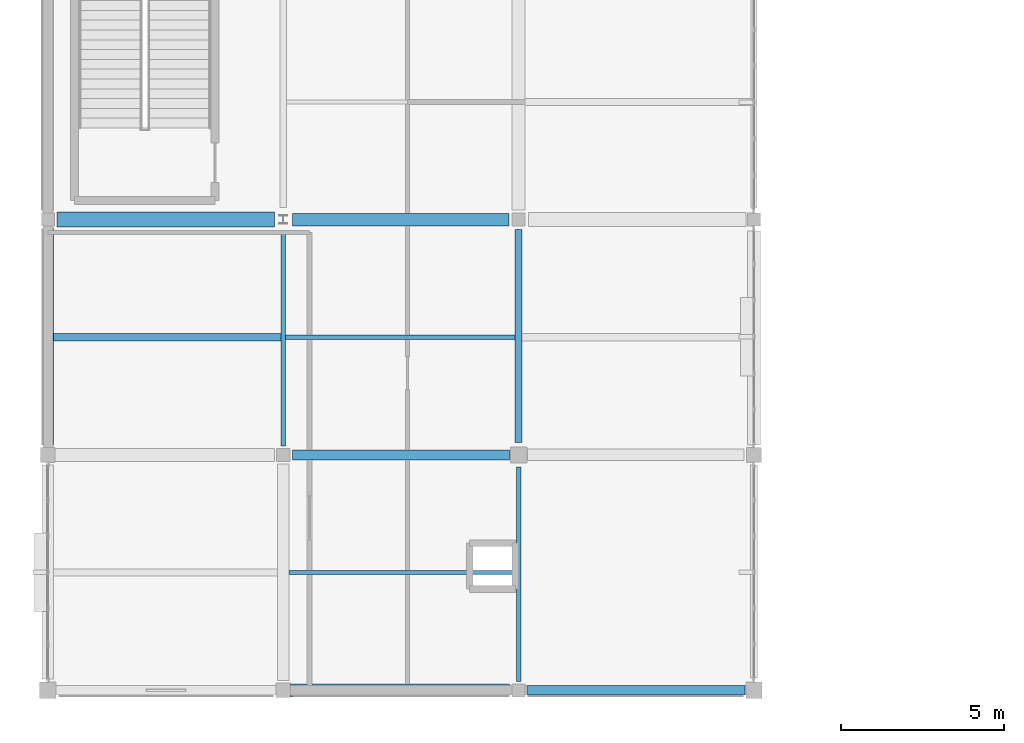
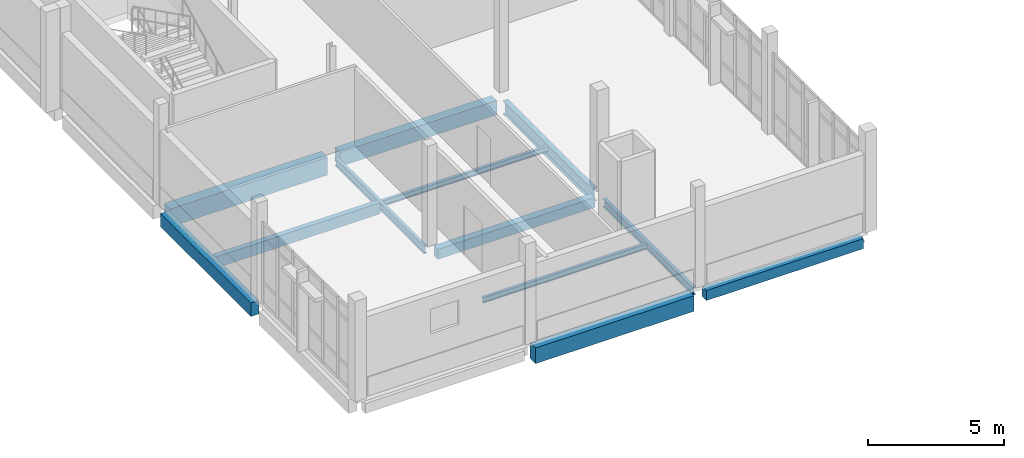
# One storey, part 7 of 62: 12 beams.
"""IFC4 building model written with IfcOpenShell, lengths in metres."""

from ifc_helpers import new_model, si_unit, direction, frame, origin, origin_2d, place, context, subcontext, project, spatial, rectangle, i_section, extrude, material, material_profile, profile_set, type_object, element, save


model = new_model("IFC4")

# Units and contexts
model_context = context("Model", 3, precision=1e-05, world=origin(), true_north=direction((0.0, 1.0)))
body_context = subcontext(model_context, "Body", "Model", "MODEL_VIEW")
ifc_project = project(units=[si_unit("LENGTHUNIT", "METRE"), si_unit("AREAUNIT", "SQUARE_METRE"), si_unit("VOLUMEUNIT", "CUBIC_METRE"), si_unit("PLANEANGLEUNIT", "RADIAN"), si_unit("MASSUNIT", "GRAM", prefix="KILO")], contexts=[model_context])

# Site, building, storey
site_placement = place(None, origin())
site = spatial("IfcSite", under=ifc_project, at=site_placement, CompositionType="ELEMENT")
building_placement = place(site_placement, origin())
building = spatial("IfcBuilding", under=site, at=building_placement, Name="Kalluvel Institute of Natural Sciences", CompositionType="ELEMENT")
storey_placement = place(building_placement, frame((0.0, 0.0, 27.89990234375)))
storey = spatial("IfcBuildingStorey", under=building, at=storey_placement, Name="L06", CompositionType="ELEMENT", Elevation=27.89990234375)

# Beams
ifc_material_1 = material(Name="Steel E350 Grade 350", Category="steel")
ifc_material_profile_1 = material_profile(ifc_material_1, i_section(OverallWidth=0.139892578125, OverallDepth=0.35009765625, WebThickness=0.008056640625, FlangeThickness=0.01416015625, FilletRadius=0.013916015625, at=origin_2d()), Name="ISMB 350")
ifc_profile_set_1 = profile_set([ifc_material_profile_1], Name="Steel E350 Grade 350")
beam_type_1 = type_object("IfcBeamType", Name="BM-ISMB350", PredefinedType="BEAM", material=ifc_profile_set_1)
for number, where, z_axis, x_axis, name in (
    (1, (21.199951171875, 35.875, -0.474853515625), (0.0, 1.0, 0.0), (-1.0, 0.0, 0.0), "L06 girder GIR-L06-NS-X212-Y356"),
    (2, (28.39990234375, 28.675048828125, -0.474853515625), (0.0, 1.0, 0.0), (-1.0, 0.0, 0.0), "L06 girder GIR-L06-NS-X284-Y284"),
):
    element("IfcBeam", number, at=place(storey_placement, frame(where, z_axis=z_axis, x_axis=x_axis)), inside=storey, type_object=beam_type_1, Name=name, PredefinedType="BEAM", context=body_context, shape_type="SweptSolid", body=[
        extrude(i_section(OverallWidth=0.139892578125, OverallDepth=0.35009765625, WebThickness=0.008056640625, FlangeThickness=0.01416015625, FilletRadius=0.013916015625, at=origin_2d()), origin(), (0.0, 0.0, 1.0), 6.550048828125),
    ])
ifc_material_profile_2 = material_profile(ifc_material_1, i_section(OverallWidth=0.2099609375, OverallDepth=0.60009765625, WebThickness=0.011962890625, FlangeThickness=0.020751953125, FilletRadius=0.02001953125, at=origin_2d()), Name="ISMB 600")
ifc_profile_set_2 = profile_set([ifc_material_profile_2], Name="Steel E350 Grade 350")
beam_type_2 = type_object("IfcBeamType", Name="BM-ISMB600", PredefinedType="BEAM", material=ifc_profile_set_2)
beam_1_placement = place(storey_placement, frame((28.39990234375, 35.97509765625, -0.599853515625), z_axis=(0.0, 1.0, 0.0), x_axis=(-1.0, 0.0, 0.0)))
element("IfcBeam", 3, at=beam_1_placement, inside=storey, type_object=beam_type_2, Name="L06 girder GIR-L06-NS-X284-Y356", PredefinedType="BEAM", context=body_context, shape_type="SweptSolid", body=[
    extrude(i_section(OverallWidth=0.2099609375, OverallDepth=0.60009765625, WebThickness=0.011962890625, FlangeThickness=0.020751953125, FilletRadius=0.02001953125, at=origin_2d()), origin(), (0.0, 0.0, 1.0), 6.52490234375),
])
ifc_material_2 = material(Name="Concrete M40", Category="concrete")
ifc_material_profile_3 = material_profile(ifc_material_2, rectangle(XDim=0.3798828125, YDim=0.639892578125, at=origin_2d()), Name="RCB 380x640")
ifc_profile_set_3 = profile_set([ifc_material_profile_3], Name="Concrete M40")
beam_type_3 = type_object("IfcBeamType", Name="BM-RC380x640", PredefinedType="BEAM", material=ifc_profile_set_3)
beam_2_placement = place(storey_placement, frame((21.47509765625, 42.800048828125, -0.619873046875), z_axis=(1.0, 0.0, 0.0), x_axis=(0.0, 1.0, 0.0)))
element("IfcBeam", 4, at=beam_2_placement, inside=storey, type_object=beam_type_3, Name="L06 girder GIR-L06-EW-X212-Y428", PredefinedType="BEAM", context=body_context, shape_type="SweptSolid", body=[
    extrude(rectangle(XDim=0.3798828125, YDim=0.639892578125, at=origin_2d()), origin(), (0.0, 0.0, 1.0), 6.625),
])
ifc_material_profile_4 = material_profile(ifc_material_2, rectangle(XDim=0.449951171875, YDim=0.800048828125, at=origin_2d()), Name="RCB 450x800")
ifc_profile_set_4 = profile_set([ifc_material_profile_4], Name="Concrete M40")
beam_type_4 = type_object("IfcBeamType", Name="BM-RC450x800", PredefinedType="BEAM", material=ifc_profile_set_4)
beam_3_placement = place(storey_placement, frame((14.27490234375, 42.800048828125, -0.699951171875), z_axis=(1.0, 0.0, 0.0), x_axis=(0.0, 1.0, 0.0)))
element("IfcBeam", 5, at=beam_3_placement, inside=storey, type_object=beam_type_4, Name="L06 girder GIR-L06-EW-X140-Y428", PredefinedType="BEAM", context=body_context, shape_type="SweptSolid", body=[
    extrude(rectangle(XDim=0.449951171875, YDim=0.800048828125, at=origin_2d()), origin(), (0.0, 0.0, 1.0), 6.650146484375),
])
ifc_material_profile_5 = material_profile(ifc_material_2, rectangle(XDim=0.300048828125, YDim=0.449951171875, at=origin_2d()), Name="RCB 300x450")
ifc_profile_set_5 = profile_set([ifc_material_profile_5], Name="Concrete M40")
beam_type_5 = type_object("IfcBeamType", Name="SP-RC300x450", PredefinedType="SPANDREL", material=ifc_profile_set_5)
for number, where, z_axis, x_axis, name in (
    (6, (28.675048828125, 28.39990234375, -0.52490234375), (1.0, 0.0, 0.0), (0.0, 1.0, 0.0), "L06 girder GIR-L06-EW-X284-Y284"),
    (7, (21.47509765625, 35.60009765625, -0.52490234375), (1.0, 0.0, 0.0), (0.0, 1.0, 0.0), "L06 girder GIR-L06-EW-X212-Y356"),
):
    element("IfcBeam", number, at=place(storey_placement, frame(where, z_axis=z_axis, x_axis=x_axis)), inside=storey, type_object=beam_type_5, Name=name, PredefinedType="SPANDREL", context=body_context, shape_type="SweptSolid", body=[
        extrude(rectangle(XDim=0.300048828125, YDim=0.449951171875, at=origin_2d()), origin(), (0.0, 0.0, 1.0), 6.64990234375),
    ])
ifc_material_profile_6 = material_profile(ifc_material_2, rectangle(XDim=0.35009765625, YDim=0.60009765625, at=origin_2d()), Name="RCB 350x600")
ifc_profile_set_6 = profile_set([ifc_material_profile_6], Name="Concrete M40")
beam_type_6 = type_object("IfcBeamType", Name="SP-RC350x600", PredefinedType="SPANDREL", material=ifc_profile_set_6)
beam_4_placement = place(storey_placement, frame((14.0, 35.89990234375, -0.599853515625), z_axis=(0.0, 1.0, 0.0), x_axis=(-1.0, 0.0, 0.0)))
element("IfcBeam", 8, at=beam_4_placement, inside=storey, type_object=beam_type_6, Name="L06 girder GIR-L06-NS-X140-Y356", PredefinedType="SPANDREL", context=body_context, shape_type="SweptSolid", body=[
    extrude(rectangle(XDim=0.35009765625, YDim=0.60009765625, at=origin_2d()), origin(), (0.0, 0.0, 1.0), 6.625),
])
ifc_material_profile_7 = material_profile(ifc_material_2, rectangle(XDim=0.39990234375, YDim=0.699951171875, at=origin_2d()), Name="RCB 400x700")
ifc_profile_set_7 = profile_set([ifc_material_profile_7], Name="Concrete M40")
beam_type_7 = type_object("IfcBeamType", Name="SP-RC400x700", PredefinedType="SPANDREL", material=ifc_profile_set_7)
beam_5_placement = place(storey_placement, frame((21.425048828125, 28.39990234375, -0.64990234375), z_axis=(1.0, 0.0, 0.0), x_axis=(0.0, 1.0, 0.0)))
element("IfcBeam", 9, at=beam_5_placement, inside=storey, type_object=beam_type_7, Name="L06 girder GIR-L06-EW-X212-Y284", PredefinedType="SPANDREL", context=body_context, shape_type="SweptSolid", body=[
    extrude(rectangle(XDim=0.39990234375, YDim=0.699951171875, at=origin_2d()), origin(), (0.0, 0.0, 1.0), 6.699951171875),
])
ifc_material_profile_8 = material_profile(ifc_material_2, rectangle(XDim=0.219970703125, YDim=0.5, at=origin_2d()), Name="WAF 220x500")
ifc_profile_set_8 = profile_set([ifc_material_profile_8], Name="Concrete M40")
beam_type_8 = type_object("IfcBeamType", Name="WJ-220x500", PredefinedType="JOIST", material=ifc_profile_set_8)
beam_6_placement = place(storey_placement, frame((14.175048828125, 39.199951171875, -0.5498046875), z_axis=(1.0, 0.0, 0.0), x_axis=(0.0, 1.0, 0.0)))
element("IfcBeam", 10, at=beam_6_placement, inside=storey, type_object=beam_type_8, Name="L06 floor rib RIB-L06-0757", PredefinedType="JOIST", context=body_context, shape_type="SweptSolid", body=[
    extrude(rectangle(XDim=0.219970703125, YDim=0.5, at=origin_2d()), origin(), (0.0, 0.0, 1.0), 6.954833984375),
])
ifc_material_profile_9 = material_profile(ifc_material_1, i_section(OverallWidth=0.125, OverallDepth=0.25, WebThickness=0.0068359375, FlangeThickness=0.012451171875, FilletRadius=0.012939453125, at=origin_2d()), Name="ISMB 250")
ifc_profile_set_9 = profile_set([ifc_material_profile_9], Name="Steel E350 Grade 350")
beam_type_9 = type_object("IfcBeamType", Name="WJ-ISMB250", PredefinedType="JOIST", material=ifc_profile_set_9)
beam_7_placement = place(storey_placement, frame((21.375, 32.0, -0.4248046875), z_axis=(1.0, 0.0, 0.0), x_axis=(0.0, 1.0, 0.0)))
element("IfcBeam", 11, at=beam_7_placement, inside=storey, type_object=beam_type_9, Name="L06 floor rib RIB-L06-0756", PredefinedType="JOIST", context=body_context, shape_type="SweptSolid", body=[
    extrude(i_section(OverallWidth=0.125, OverallDepth=0.25, WebThickness=0.0068359375, FlangeThickness=0.012451171875, FilletRadius=0.012939453125, at=origin_2d()), origin(), (0.0, 0.0, 1.0), 6.955078125),
])
beam_8_placement = place(storey_placement, frame((21.27001953125, 39.199951171875, -0.4248046875), z_axis=(1.0, 0.0, 0.0), x_axis=(0.0, 1.0, 0.0)))
element("IfcBeam", 12, at=beam_8_placement, inside=storey, type_object=beam_type_9, Name="L06 floor rib RIB-L06-0758", PredefinedType="JOIST", context=body_context, shape_type="SweptSolid", body=[
    extrude(i_section(OverallWidth=0.125, OverallDepth=0.25, WebThickness=0.0068359375, FlangeThickness=0.012451171875, FilletRadius=0.012939453125, at=origin_2d()), origin(), (0.0, 0.0, 1.0), 7.02490234375),
])

save(model, "model.ifc")
